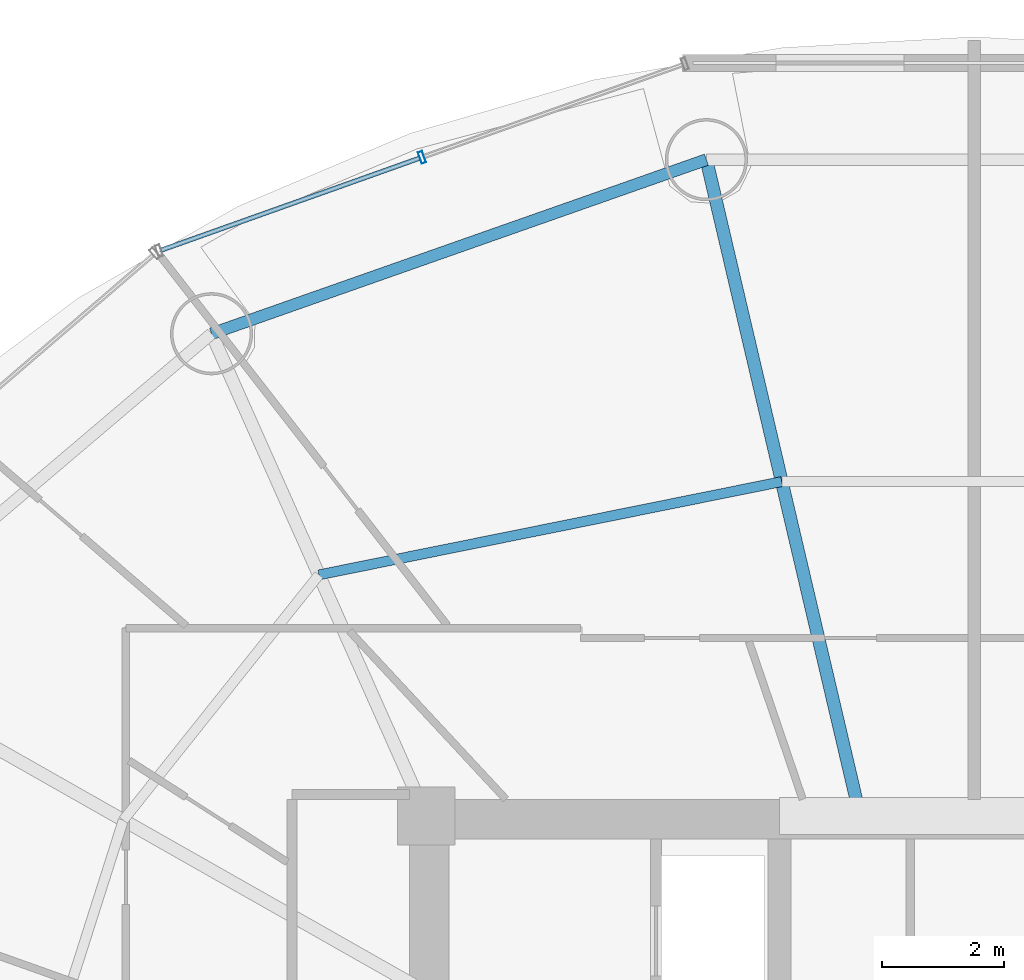
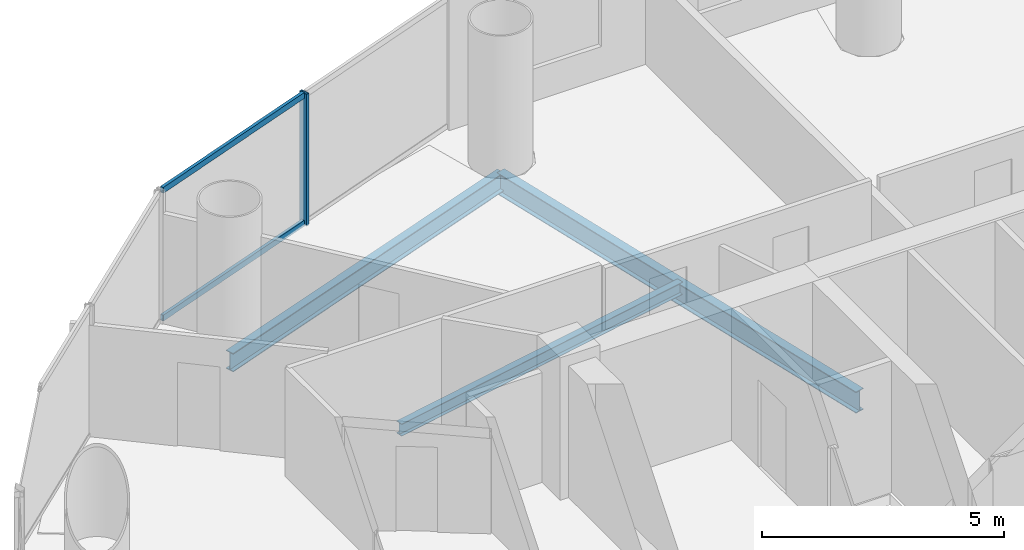
# One storey, part 15 of 27: 3 beams, 3 members, 1 element without a shape of its own.
"""IFC4 building model written with IfcOpenShell, lengths in metres."""

import ifcopenshell
import ifcopenshell.guid

model = None  # the IFC model being written
_history = None  # IfcOwnerHistory: only IFC2X3 demands one
_inside = {}  # id of a spatial element -> (the spatial element, [elements in it])
_under = {}  # id of a project, library or spatial element -> (it, [spatial elements below it])
_declared = {}  # id of a project -> (the project, [libraries it declares])
_typed = {}  # id of a type object -> (the type object, [elements of that type])
_made_of = {}  # id of a material, layer set ... -> (it, [elements and type objects made of it])


def new_model(schema):
    """Start an empty IFC model of exactly this schema.

    Asked for "IFC4X3", IfcOpenShell would pick the latest addendum, in which some entities
    have other attributes; the version numbers below select the first issue.
    IFC2X3 requires an IfcOwnerHistory on every rooted entity: one is made here for all.
    """
    global model, _history
    if schema == "IFC4X3":
        model = ifcopenshell.file(schema_version=(4, 3, 0, 0))
    else:
        model = ifcopenshell.file(schema=schema)
    _inside.clear()
    _under.clear()
    _declared.clear()
    _typed.clear()
    _made_of.clear()
    _history = None
    if model.schema == "IFC2X3":
        org = make("IfcOrganization", Name="unknown")
        user = make(
            "IfcPersonAndOrganization",
            ThePerson=make("IfcPerson", FamilyName="unknown"),
            TheOrganization=org,
        )
        app = make(
            "IfcApplication",
            ApplicationDeveloper=org,
            Version="unknown",
            ApplicationFullName="unknown",
            ApplicationIdentifier="unknown",
        )
        _history = make(
            "IfcOwnerHistory",
            OwningUser=user,
            OwningApplication=app,
            ChangeAction="ADDED",
            CreationDate=0,
        )
    return model


def make(cls, **values):
    """One entity of the class cls with the attributes given. An attribute that is None is left unset."""
    return model.create_entity(
        cls, **{name: value for name, value in values.items() if value is not None}
    )


def rooted(cls, **values):
    """An entity with a GlobalId (a new one), such as an element, a storey or a relation."""
    return make(cls, GlobalId=ifcopenshell.guid.new(), OwnerHistory=_history, **values)


def si_unit(unit_type, name, prefix=None):
    """IfcSIUnit, for example si_unit("LENGTHUNIT", "METRE", prefix="MILLI")."""
    return make("IfcSIUnit", UnitType=unit_type, Prefix=prefix, Name=name)


def assignment(units):
    """IfcUnitAssignment: the units of a project."""
    return None if units is None else make("IfcUnitAssignment", Units=units)


def point(xyz):
    """IfcCartesianPoint."""
    return None if xyz is None else make("IfcCartesianPoint", Coordinates=xyz)


def direction(xyz):
    """IfcDirection."""
    return None if xyz is None else make("IfcDirection", DirectionRatios=xyz)


def frame(location, z_axis=None, x_axis=None):
    """IfcAxis2Placement3D, a coordinate frame: its origin and axes. An axis left out is left unset."""
    return make(
        "IfcAxis2Placement3D",
        Location=point(location),
        Axis=direction(z_axis),
        RefDirection=direction(x_axis),
    )


def frame_2d(location, x_axis=None):
    """IfcAxis2Placement2D, a coordinate frame in the plane: its origin and x axis."""
    return make(
        "IfcAxis2Placement2D", Location=point(location), RefDirection=direction(x_axis)
    )


def origin():
    """The frame at (0, 0, 0) with its axes left unset."""
    return frame((0.0, 0.0, 0.0))


def origin_2d():
    """The frame at (0, 0) in the plane with its x axis left unset."""
    return frame_2d((0.0, 0.0))


def place(relative_to, where):
    """IfcLocalPlacement: puts the frame where relative to a parent placement (None: the world)."""
    return make(
        "IfcLocalPlacement", PlacementRelTo=relative_to, RelativePlacement=where
    )


def context(
    kind, dimensions, precision=None, world=None, true_north=None, identifier=None
):
    """IfcGeometricRepresentationContext, for example the 3D "Model" context."""
    return make(
        "IfcGeometricRepresentationContext",
        ContextIdentifier=identifier,
        ContextType=kind,
        CoordinateSpaceDimension=dimensions,
        Precision=precision,
        WorldCoordinateSystem=world,
        TrueNorth=true_north,
    )


def subcontext(parent, identifier, kind, view, scale=None):
    """IfcGeometricRepresentationSubContext, for example "Body" below "Model"."""
    return make(
        "IfcGeometricRepresentationSubContext",
        ContextIdentifier=identifier,
        ContextType=kind,
        ParentContext=parent,
        TargetScale=scale,
        TargetView=view,
    )


def project(units=None, contexts=None):
    """IfcProject with its units and contexts."""
    return rooted(
        "IfcProject",
        Name="project",
        RepresentationContexts=contexts,
        UnitsInContext=assignment(units),
    )


def spatial(cls, under=None, at=None, **own):
    """A site, building, storey or space (cls), placed at a placement, below another one or the project."""
    s = rooted(cls, ObjectPlacement=at, **own)
    if under is not None:
        _under.setdefault(under.id(), (under, []))[1].append(s)
    return s


def profile(cls, at=None, kind="AREA", **sizes):
    """A parametric profile (cls). Its sizes go by their IFC names, for example OverallWidth=200.0."""
    return make(cls, ProfileType=kind, Position=at, **sizes)


def hollow_rectangle(**sizes):
    """IfcRectangleHollowProfileDef."""
    return profile("IfcRectangleHollowProfileDef", **sizes)


def i_section(**sizes):
    """IfcIShapeProfileDef."""
    return profile("IfcIShapeProfileDef", **sizes)


def extrude(swept, where, along, depth):
    """IfcExtrudedAreaSolid: the profile swept, set in the frame where, extruded along a direction by depth."""
    return make(
        "IfcExtrudedAreaSolid",
        SweptArea=swept,
        Position=where,
        ExtrudedDirection=direction(along),
        Depth=depth,
    )


def shape(context_of_items, identifier, shape_type, items):
    """IfcShapeRepresentation: the items that make up one representation, for example the "Body"."""
    return make(
        "IfcShapeRepresentation",
        ContextOfItems=context_of_items,
        RepresentationIdentifier=identifier,
        RepresentationType=shape_type,
        Items=items,
    )


def source(mapping_origin, context_of_items, identifier, shape_type, items):
    """IfcRepresentationMap: a shape defined once, which mapped items show again and again."""
    return make(
        "IfcRepresentationMap",
        MappingOrigin=mapping_origin,
        MappedRepresentation=shape(context_of_items, identifier, shape_type, items),
    )


def transform(
    local_origin,
    x_axis=None,
    y_axis=None,
    z_axis=None,
    scale=None,
    scale2=None,
    scale3=None,
    uniform=True,
):
    """IfcCartesianTransformationOperator3D, or its non-uniform kind. x_axis, y_axis, z_axis: its Axis1, 2, 3."""
    if uniform:
        return make(
            "IfcCartesianTransformationOperator3D",
            Axis1=direction(x_axis),
            Axis2=direction(y_axis),
            LocalOrigin=point(local_origin),
            Scale=scale,
            Axis3=direction(z_axis),
        )
    return make(
        "IfcCartesianTransformationOperator3DnonUniform",
        Axis1=direction(x_axis),
        Axis2=direction(y_axis),
        LocalOrigin=point(local_origin),
        Scale=scale,
        Axis3=direction(z_axis),
        Scale2=scale2,
        Scale3=scale3,
    )


def mapped(mapping_source, mapping_target):
    """IfcMappedItem: shows the shape of a source again, moved by a transform."""
    return make(
        "IfcMappedItem", MappingSource=mapping_source, MappingTarget=mapping_target
    )


def material(Name=None, Category=None):
    """IfcMaterial."""
    return make("IfcMaterial", Name=Name, Category=Category)


def material_profile(
    of_material, cross_section, Name=None, Category=None, Priority=None
):
    """IfcMaterialProfile: a cross section and its material."""
    return make(
        "IfcMaterialProfile",
        Name=Name,
        Material=of_material,
        Profile=cross_section,
        Priority=Priority,
        Category=Category,
    )


def profile_set(profiles, Name=None, composite=None):
    """IfcMaterialProfileSet."""
    return make(
        "IfcMaterialProfileSet",
        Name=Name,
        MaterialProfiles=profiles,
        CompositeProfile=composite,
    )


def made_of(thing, what):
    """Note that an element or type object is made of a material, layer set ...; save() writes the relation."""
    if what is not None:
        _made_of.setdefault(what.id(), (what, []))[1].append(thing)
    return thing


def type_object(cls, material=None, **own):
    """A type object (cls), such as IfcWallType, which elements share."""
    return made_of(rooted(cls, **own), material)


def element(
    cls,
    number,
    at=None,
    inside=None,
    cuts=None,
    type_object=None,
    material=None,
    context=None,
    identifier="Body",
    shape_type=None,
    held_by="IfcProductDefinitionShape",
    body=None,
    shapes=None,
    **own,
):
    """One element of the class cls, such as IfcWall. Its Tag is "e" and its number.

    at: its placement. inside: the storey or other place that contains it. cuts: it is an
    opening in that element (IfcRelVoidsElement). A single representation is given by context,
    identifier, shape_type and body (its items); several are given by shapes. held_by: the class
    of the entity that holds the representations. save() writes the other relations.
    """
    e = rooted(cls, Tag="e%d" % number, ObjectPlacement=at, **own)
    if body is not None:
        shapes = [shape(context, identifier, shape_type, body)]
    if shapes is not None:
        e.Representation = make(held_by, Representations=shapes)
    if inside is not None:
        _inside.setdefault(inside.id(), (inside, []))[1].append(e)
    if cuts is not None:
        rooted(
            "IfcRelVoidsElement", RelatingBuildingElement=cuts, RelatedOpeningElement=e
        )
    if type_object is not None:
        _typed.setdefault(type_object.id(), (type_object, []))[1].append(e)
    return made_of(e, material)


def aggregate(whole, parts):
    """IfcRelAggregates: a whole, such as a stair, and the parts it consists of."""
    return rooted("IfcRelAggregates", RelatingObject=whole, RelatedObjects=parts)


def save(model, path):
    """Write the relations noted so far, then the file.

    IfcRelAggregates (storeys below a building ...), IfcRelContainedInSpatialStructure (elements
    in a storey), IfcRelDefinesByType, IfcRelAssociatesMaterial and IfcRelDeclares: one each for
    every whole, place, type object, material and project.
    """
    for whole, parts in _under.values():
        aggregate(whole, parts)
    for where, things in _inside.values():
        rooted(
            "IfcRelContainedInSpatialStructure",
            RelatedElements=things,
            RelatingStructure=where,
        )
    for kind, things in _typed.values():
        rooted("IfcRelDefinesByType", RelatedObjects=things, RelatingType=kind)
    for what, things in _made_of.values():
        rooted("IfcRelAssociatesMaterial", RelatedObjects=things, RelatingMaterial=what)
    for by, libraries in _declared.values():
        rooted("IfcRelDeclares", RelatingContext=by, RelatedDefinitions=libraries)
    model.write(path)


model = new_model("IFC4")

# Units and contexts
model_context = context("Model", 3, precision=1e-05, world=origin(), true_north=direction((-0.2419218956, 0.970295726276)))
body_context = subcontext(model_context, "Body", "Model", "MODEL_VIEW")
ifc_project = project(units=[si_unit("LENGTHUNIT", "METRE"), si_unit("AREAUNIT", "SQUARE_METRE"), si_unit("VOLUMEUNIT", "CUBIC_METRE"), si_unit("PLANEANGLEUNIT", "RADIAN"), si_unit("MASSUNIT", "GRAM", prefix="KILO")], contexts=[model_context])

# Site, building, storey
site_placement = place(None, origin())
site = spatial("IfcSite", under=ifc_project, at=site_placement, CompositionType="ELEMENT")
building_placement = place(site_placement, origin())
building = spatial("IfcBuilding", under=site, at=building_placement, Name="Cobrevalo Terracotta Tower", CompositionType="ELEMENT")
storey_placement = place(building_placement, frame((0.0, 0.0, 149.800048828125)))
storey = spatial("IfcBuildingStorey", under=building, at=storey_placement, Name="L39", CompositionType="ELEMENT", Elevation=149.800048828125)

# Beams
ifc_material_1 = material(Name="Steel S355", Category="steel")
ifc_material_profile_1 = material_profile(ifc_material_1, i_section(OverallWidth=0.2109375, OverallDepth=0.5390625, WebThickness=0.01171875, FlangeThickness=0.018798828125, at=origin_2d()), Name="W 530x109")
ifc_profile_set_1 = profile_set([ifc_material_profile_1], Name="Steel S355")
beam_type_1 = type_object("IfcBeamType", Name="Structural Beam W 530x109 (Steel S355)", PredefinedType="BEAM", material=ifc_profile_set_1)
beam_1_placement = place(storey_placement, frame((33.600830078125, 45.58203125, -0.53955078125), z_axis=(0.228040864186, -0.973651562039, 0.0), x_axis=(0.973651562039, 0.228040864186, 0.0)))
element("IfcBeam", 1, at=beam_1_placement, inside=storey, type_object=beam_type_1, Name="L39 radial floor girder 05", PredefinedType="BEAM", context=body_context, shape_type="SweptSolid", body=[
    extrude(i_section(OverallWidth=0.2109375, OverallDepth=0.5390625, WebThickness=0.01171875, FlangeThickness=0.018798828125, at=origin_2d()), origin(), (0.0, 0.0, 1.0), 10.86328125),
])
ifc_material_profile_2 = material_profile(ifc_material_1, i_section(OverallWidth=0.1650390625, OverallDepth=0.31005859375, WebThickness=0.005859375, FlangeThickness=0.009765625, at=origin_2d()), Name="W 310x38.7")
ifc_profile_set_2 = profile_set([ifc_material_profile_2], Name="Steel S355")
beam_type_2 = type_object("IfcBeamType", Name="Structural Joist W 310x38.7 (Steel S355)", PredefinedType="JOIST", material=ifc_profile_set_2)
beam_2_placement = place(storey_placement, frame((34.83935546875, 40.29345703125, -0.425048828125), z_axis=(-0.980293928329, -0.197544461026, 0.0), x_axis=(0.197544461026, -0.980293928329, 0.0)))
element("IfcBeam", 2, at=beam_2_placement, inside=storey, type_object=beam_type_2, Name="L39 circumferential secondary floor joist 05", PredefinedType="JOIST", context=body_context, shape_type="SweptSolid", body=[
    extrude(i_section(OverallWidth=0.1650390625, OverallDepth=0.31005859375, WebThickness=0.005859375, FlangeThickness=0.009765625, at=origin_2d()), origin(), (0.0, 0.0, 1.0), 7.75634765625),
])
ifc_material_profile_3 = material_profile(ifc_material_1, i_section(OverallWidth=0.194091796875, OverallDepth=0.468994140625, WebThickness=0.011474609375, FlangeThickness=0.0205078125, at=origin_2d()), Name="W 460x106")
ifc_profile_set_3 = profile_set([ifc_material_profile_3], Name="Steel S355")
beam_type_3 = type_object("IfcBeamType", Name="Structural Spandrel W 460x106 (Steel S355)", PredefinedType="SPANDREL", material=ifc_profile_set_3)
beam_3_placement = place(storey_placement, frame((33.600830078125, 45.58203125, -0.504638671875), z_axis=(-0.943341298492, -0.331824041565, 0.0), x_axis=(0.331824041565, -0.943341298492, 0.0)))
element("IfcBeam", 3, at=beam_3_placement, inside=storey, type_object=beam_type_3, Name="L39 perimeter ring spandrel 05", PredefinedType="SPANDREL", context=body_context, shape_type="SweptSolid", body=[
    extrude(i_section(OverallWidth=0.194091796875, OverallDepth=0.468994140625, WebThickness=0.011474609375, FlangeThickness=0.0205078125, at=origin_2d()), origin(), (0.0, 0.0, 1.0), 8.6171875),
])

# Curtain wall, members
ifc_material_2 = material(Name="Anodized aluminium", Category="aluminium")
curtain_wall_type = type_object("IfcCurtainWallType", Name="Mid-tower high-wind unitised curtain wall CW-U2", PredefinedType="NOTDEFINED", material=ifc_material_2)
curtain_wall_placement = place(storey_placement, origin())
curtain_wall = element("IfcCurtainWall", 4, at=curtain_wall_placement, inside=storey, type_object=curtain_wall_type, Name="L39 curtain wall CW-L39-S05", PredefinedType="NOTDEFINED")
ifc_material_profile_4 = material_profile(ifc_material_2, hollow_rectangle(XDim=0.074951171875, YDim=0.199951171875, WallThickness=0.0048828125, at=origin_2d()), Name="CWM 75x200")
ifc_profile_set_4 = profile_set([ifc_material_profile_4], Name="Anodized aluminium")
member_type_1 = type_object("IfcMemberType", Name="Lower/mid tower unitised mullion 75x200", PredefinedType="MULLION", material=ifc_profile_set_4)
shared_shape_1 = source(origin(), body_context, "Body", "SweptSolid", [
    extrude(hollow_rectangle(XDim=0.074951171875, YDim=0.199951171875, WallThickness=0.0048828125, at=origin_2d()), origin(), (0.0, 0.0, 1.0), 3.329833984375),
])
member_1_placement = place(storey_placement, frame((28.92822265625, 45.620361328125, 0.0), z_axis=(0.0, 0.0, 1.0), x_axis=(-0.942098428897, -0.335336473217, 0.0)))
member_1 = element("IfcMember", 5, at=member_1_placement, type_object=member_type_1, Name="CW-L39-S05 vertical mullion 02", PredefinedType="MULLION", context=body_context, shape_type="MappedRepresentation", body=[
    mapped(shared_shape_1, transform((0.0, 0.0, 0.0), scale=1.0)),
])
ifc_material_profile_5 = material_profile(ifc_material_2, hollow_rectangle(XDim=0.074951171875, YDim=0.14990234375, WallThickness=0.00439453125, at=origin_2d()), Name="CWT 75x150")
ifc_profile_set_5 = profile_set([ifc_material_profile_5], Name="Anodized aluminium")
member_type_2 = type_object("IfcMemberType", Name="Tower unitised aluminium transom 75x150", PredefinedType="USERDEFINED", material=ifc_profile_set_5)
shared_shape_2 = source(origin(), body_context, "Body", "SweptSolid", [
    extrude(hollow_rectangle(XDim=0.074951171875, YDim=0.14990234375, WallThickness=0.00439453125, at=origin_2d()), origin(), (0.0, 0.0, 1.0), 4.504150390625),
])
member_2_placement = place(storey_placement, frame((28.890625, 45.60693359375, 0.050048828125), z_axis=(-0.942093344241, -0.335350757771, 0.0), x_axis=(0.335350757771, -0.942093344241, 0.0)))
member_2 = element("IfcMember", 6, at=member_2_placement, type_object=member_type_2, Name="CW-L39-S05 transom B02-T1", ObjectType="TRANSOM", PredefinedType="USERDEFINED", context=body_context, shape_type="MappedRepresentation", body=[
    mapped(shared_shape_2, transform((0.0, 0.0, 0.0), scale=1.0)),
])
member_3_placement = place(storey_placement, frame((28.890625, 45.60693359375, 3.280029296875), z_axis=(-0.942093344241, -0.335350757771, 0.0), x_axis=(0.335350757771, -0.942093344241, 0.0)))
member_3 = element("IfcMember", 7, at=member_3_placement, type_object=member_type_2, Name="CW-L39-S05 transom B02-T2", ObjectType="TRANSOM", PredefinedType="USERDEFINED", context=body_context, shape_type="MappedRepresentation", body=[
    mapped(shared_shape_2, transform((0.0, 0.0, 0.0), scale=1.0)),
])
aggregate(curtain_wall, [member_1, member_2, member_3])

save(model, "model.ifc")
